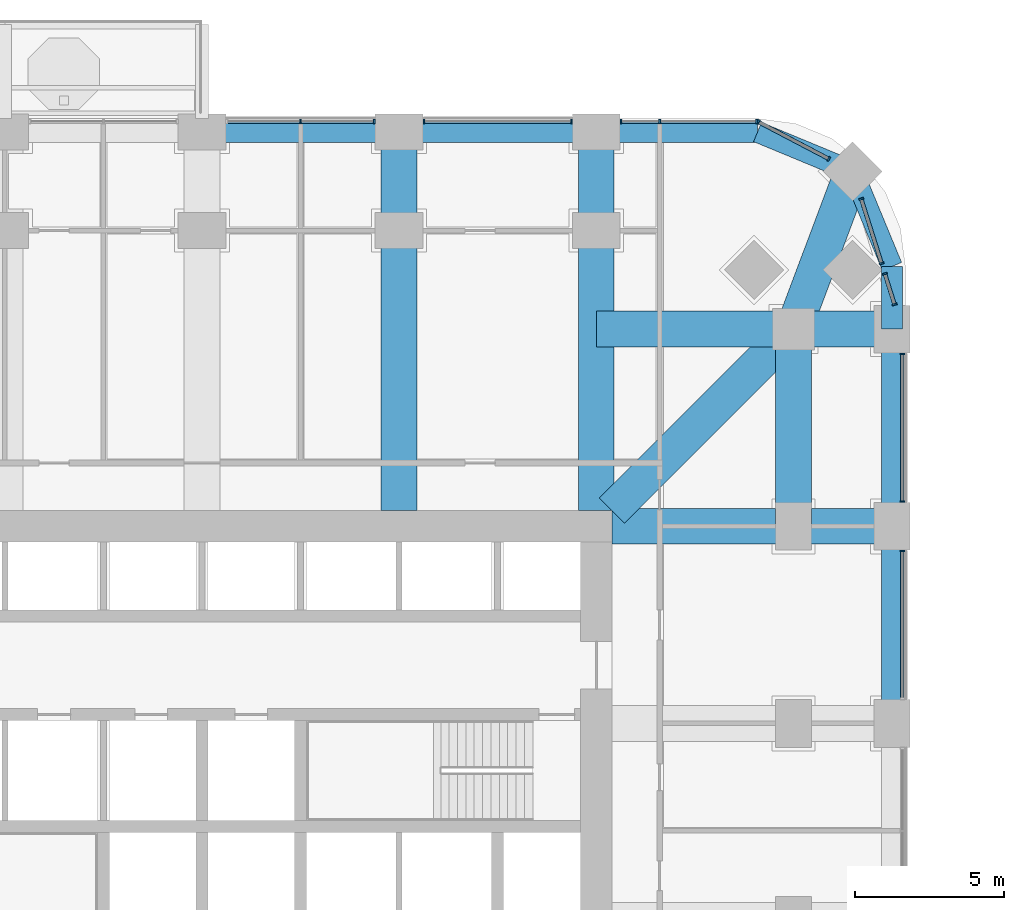
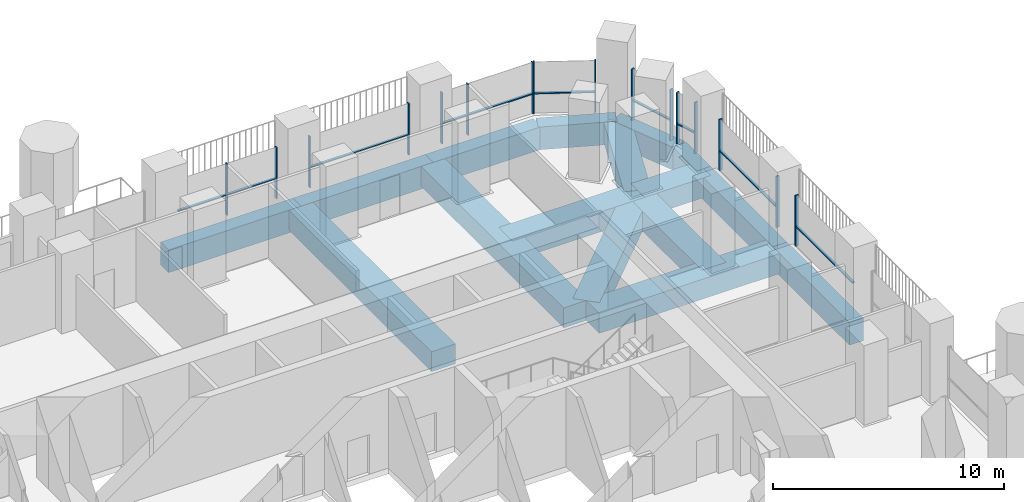
# One storey, part 7 of 21: 26 members, 16 beams, 8 elements without a shape of their own.
"""IFC4 building model written with IfcOpenShell, lengths in metres."""

from ifc_helpers import new_model, si_unit, direction, frame, origin, origin_2d, place, context, subcontext, project, spatial, rectangle, extrude, material, material_profile, profile_set, type_object, element, aggregate, save


model = new_model("IFC4")

# Units and contexts
model_context = context("Model", 3, precision=1e-05, world=origin(), true_north=direction((0.0, 1.0)))
body_context = subcontext(model_context, "Body", "Model", "MODEL_VIEW")
ifc_project = project(units=[si_unit("LENGTHUNIT", "METRE"), si_unit("AREAUNIT", "SQUARE_METRE"), si_unit("VOLUMEUNIT", "CUBIC_METRE"), si_unit("PLANEANGLEUNIT", "RADIAN"), si_unit("MASSUNIT", "GRAM", prefix="KILO")], contexts=[model_context])

# Site, building, storey
site_placement = place(None, origin())
site = spatial("IfcSite", under=ifc_project, at=site_placement, CompositionType="ELEMENT")
building_placement = place(site_placement, origin())
building = spatial("IfcBuilding", under=site, at=building_placement, Name="Cobogo Forest Laboratory Tower", CompositionType="ELEMENT")
storey_placement = place(building_placement, frame((0.0, 0.0, 90.60009765625)))
storey = spatial("IfcBuildingStorey", under=building, at=storey_placement, Name="L20", CompositionType="ELEMENT", Elevation=90.60009765625)

# Beams
ifc_material_1 = material(Name="Concrete HA-40 (C40/50)", Category="concrete")
ifc_material_profile_1 = material_profile(ifc_material_1, rectangle(XDim=1.199951171875, YDim=1.050048828125, at=origin_2d()), Name="RC 1200x1050")
ifc_profile_set_1 = profile_set([ifc_material_profile_1], Name="Concrete HA-40 (C40/50)")
beam_type_1 = type_object("IfcBeamType", Name="Laboratory floor wide beam 1200x1050", PredefinedType="BEAM", material=ifc_profile_set_1)
for number, where, z_axis, x_axis, name in (
    (1, (33.0, 33.52490234375, -0.8251953125), (0.0, 1.0, 0.0), (-1.0, 0.0, 0.0), "RB1 R-6-N L20"),
    (2, (39.60009765625, 33.52490234375, -0.8251953125), (0.0, 1.0, 0.0), (-1.0, 0.0, 0.0), "RB1 R-7-N L20"),
):
    element("IfcBeam", number, at=place(storey_placement, frame(where, z_axis=z_axis, x_axis=x_axis)), inside=storey, type_object=beam_type_1, Name=name, PredefinedType="BEAM", context=body_context, shape_type="SweptSolid", body=[
        extrude(rectangle(XDim=1.199951171875, YDim=1.050048828125, at=origin_2d()), origin(), (0.0, 0.0, 1.0), 12.675048828125),
    ])
beam_1_placement = place(storey_placement, frame((40.125, 33.0, -0.8251953125), z_axis=(1.0, 0.0, 0.0), x_axis=(0.0, 1.0, 0.0)))
element("IfcBeam", 3, at=beam_1_placement, inside=storey, type_object=beam_type_1, Name="RB1 R-F-E L20", PredefinedType="BEAM", context=body_context, shape_type="SweptSolid", body=[
    extrude(rectangle(XDim=1.199951171875, YDim=1.050048828125, at=origin_2d()), origin(), (0.0, 0.0, 1.0), 9.375),
])
beam_2_placement = place(storey_placement, frame((46.199951171875, 39.60009765625, -0.8251953125), z_axis=(0.0, -1.0, 0.0), x_axis=(1.0, 0.0, 0.0)))
element("IfcBeam", 4, at=beam_2_placement, inside=storey, type_object=beam_type_1, Name="RB1 G-NE-XC L20", PredefinedType="BEAM", context=body_context, shape_type="SweptSolid", body=[
    extrude(rectangle(XDim=1.199951171875, YDim=1.050048828125, at=origin_2d()), origin(), (0.0, 0.0, 1.0), 6.60009765625),
])
beam_3_placement = place(storey_placement, frame((49.5, 39.60009765625, -0.8251953125), z_axis=(-1.0, 0.0, 0.0), x_axis=(0.0, -1.0, 0.0)))
element("IfcBeam", 5, at=beam_3_placement, inside=storey, type_object=beam_type_1, Name="RB1 G-NE-YF L20", PredefinedType="BEAM", context=body_context, shape_type="SweptSolid", body=[
    extrude(rectangle(XDim=1.199951171875, YDim=1.050048828125, at=origin_2d()), origin(), (0.0, 0.0, 1.0), 3.300048828125),
])
beam_4_placement = place(storey_placement, frame((46.199951171875, 39.60009765625, -0.8251953125), z_axis=(-1.0, 0.0, 0.0), x_axis=(0.0, -1.0, 0.0)))
element("IfcBeam", 6, at=beam_4_placement, inside=storey, type_object=beam_type_1, Name="RB1 G-NE-YC L20", PredefinedType="BEAM", context=body_context, shape_type="SweptSolid", body=[
    extrude(rectangle(XDim=1.199951171875, YDim=1.050048828125, at=origin_2d()), origin(), (0.0, 0.0, 1.0), 6.599853515625),
])
beam_5_placement = place(storey_placement, frame((48.181884765625, 44.882080078125, -0.8251953125), z_axis=(-0.351308391925, -0.936259800356, 0.0), x_axis=(0.936259800356, -0.351308391925, 0.0)))
element("IfcBeam", 7, at=beam_5_placement, inside=storey, type_object=beam_type_1, Name="RB1 G-NE-D1 L20", PredefinedType="BEAM", context=body_context, shape_type="SweptSolid", body=[
    extrude(rectangle(XDim=1.199951171875, YDim=1.050048828125, at=origin_2d()), origin(), (0.0, 0.0, 1.0), 5.6416015625),
])
beam_6_placement = place(storey_placement, frame((46.199951171875, 39.60009765625, -0.8251953125), z_axis=(-0.707092572697, -0.70712098939, 0.0), x_axis=(0.70712098939, -0.707092572697, 0.0)))
element("IfcBeam", 8, at=beam_6_placement, inside=storey, type_object=beam_type_1, Name="RB1 G-NE-D2 L20", PredefinedType="BEAM", context=body_context, shape_type="SweptSolid", body=[
    extrude(rectangle(XDim=1.199951171875, YDim=1.050048828125, at=origin_2d()), origin(), (0.0, 0.0, 1.0), 8.591552734375),
])

# Curtain wall, member
ifc_material_2 = material(Name="Aluminium curtain wall", Category="aluminium")
curtain_wall_type = type_object("IfcCurtainWallType", Name="CW-1 unitised curtain wall, clear glazing, laboratory floors zones A and B", PredefinedType="USERDEFINED", material=ifc_material_2)
curtain_wall_1_placement = place(storey_placement, origin())
curtain_wall_1 = element("IfcCurtainWall", 9, at=curtain_wall_1_placement, inside=storey, type_object=curtain_wall_type, Name="Curtain wall 13 L20", ObjectType="UNITISED CURTAIN WALL", PredefinedType="USERDEFINED")
ifc_material_3 = material(Name="Aluminium mullion", Category="aluminium")
ifc_material_profile_2 = material_profile(ifc_material_3, rectangle(XDim=0.06005859375, YDim=0.159912109375, at=origin_2d()), Name="AL 60x160")
ifc_profile_set_2 = profile_set([ifc_material_profile_2], Name="Aluminium mullion")
member_type_1 = type_object("IfcMemberType", Name="MU-1 aluminium mullion 60x160", PredefinedType="MULLION", material=ifc_profile_set_2)
member_1_placement = place(storey_placement, frame((49.85009765625, 32.169921875, 0.0), z_axis=(0.0, 0.0, 1.0), x_axis=(0.0, 1.0, 0.0)))
member_1 = element("IfcMember", 10, at=member_1_placement, type_object=member_type_1, Name="CW-1 mullion 2", PredefinedType="MULLION", context=body_context, shape_type="SweptSolid", body=[
    extrude(rectangle(XDim=0.06005859375, YDim=0.159912109375, at=origin_2d()), origin(), (0.0, 0.0, 1.0), 2.699951171875),
])

# Curtain wall, members
curtain_wall_2_placement = place(storey_placement, origin())
curtain_wall_2 = element("IfcCurtainWall", 11, at=curtain_wall_2_placement, inside=storey, type_object=curtain_wall_type, Name="Curtain wall 14 L20", ObjectType="UNITISED CURTAIN WALL", PredefinedType="USERDEFINED")
member_2_placement = place(storey_placement, frame((49.85009765625, 33.830078125, 0.0), z_axis=(0.0, 0.0, 1.0), x_axis=(0.0, 1.0, 0.0)))
member_2 = element("IfcMember", 12, at=member_2_placement, type_object=member_type_1, Name="CW-1 mullion 1", PredefinedType="MULLION", context=body_context, shape_type="SweptSolid", body=[
    extrude(rectangle(XDim=0.06005859375, YDim=0.159912109375, at=origin_2d()), origin(), (0.0, 0.0, 1.0), 2.699951171875),
])
member_3_placement = place(storey_placement, frame((49.85009765625, 38.77001953125, 0.0), z_axis=(0.0, 0.0, 1.0), x_axis=(0.0, 1.0, 0.0)))
member_3 = element("IfcMember", 13, at=member_3_placement, type_object=member_type_1, Name="CW-1 mullion 2", PredefinedType="MULLION", context=body_context, shape_type="SweptSolid", body=[
    extrude(rectangle(XDim=0.06005859375, YDim=0.159912109375, at=origin_2d()), origin(), (0.0, 0.0, 1.0), 2.699951171875),
])

curtain_wall_3_placement = place(storey_placement, origin())
curtain_wall_3 = element("IfcCurtainWall", 14, at=curtain_wall_3_placement, inside=storey, type_object=curtain_wall_type, Name="Curtain wall 15 L20", ObjectType="UNITISED CURTAIN WALL", PredefinedType="USERDEFINED")
member_4_placement = place(storey_placement, frame((49.58837890625, 40.4287109375, 0.0), z_axis=(0.0, 0.0, 1.0), x_axis=(-0.3011355018, 0.953581359694, 0.0)))
member_4 = element("IfcMember", 15, at=member_4_placement, type_object=member_type_1, Name="CW-1 mullion 1", PredefinedType="MULLION", context=body_context, shape_type="SweptSolid", body=[
    extrude(rectangle(XDim=0.06005859375, YDim=0.159912109375, at=origin_2d()), origin(), (0.0, 0.0, 1.0), 2.699951171875),
])
member_5_placement = place(storey_placement, frame((49.2646484375, 41.453369140625, 0.0), z_axis=(0.0, 0.0, 1.0), x_axis=(-0.3011355018, 0.953581359694, 0.0)))
member_5 = element("IfcMember", 16, at=member_5_placement, type_object=member_type_1, Name="CW-1 mullion 2", PredefinedType="MULLION", context=body_context, shape_type="SweptSolid", body=[
    extrude(rectangle(XDim=0.06005859375, YDim=0.159912109375, at=origin_2d()), origin(), (0.0, 0.0, 1.0), 2.699951171875),
])

curtain_wall_4_placement = place(storey_placement, origin())
curtain_wall_4 = element("IfcCurtainWall", 17, at=curtain_wall_4_placement, inside=storey, type_object=curtain_wall_type, Name="Curtain wall 16 L20", ObjectType="UNITISED CURTAIN WALL", PredefinedType="USERDEFINED")
member_6_placement = place(storey_placement, frame((49.154296875, 41.802978515625, 0.0), z_axis=(0.0, 0.0, 1.0), x_axis=(-0.301135343623, 0.953581409645, 0.0)))
member_6 = element("IfcMember", 18, at=member_6_placement, type_object=member_type_1, Name="CW-1 mullion 1", PredefinedType="MULLION", context=body_context, shape_type="SweptSolid", body=[
    extrude(rectangle(XDim=0.06005859375, YDim=0.159912109375, at=origin_2d()), origin(), (0.0, 0.0, 1.0), 2.699951171875),
])
member_7_placement = place(storey_placement, frame((48.47265625, 43.961181640625, 0.0), z_axis=(0.0, 0.0, 1.0), x_axis=(-0.301135343623, 0.953581409645, 0.0)))
member_7 = element("IfcMember", 19, at=member_7_placement, type_object=member_type_1, Name="CW-1 mullion 2", PredefinedType="MULLION", context=body_context, shape_type="SweptSolid", body=[
    extrude(rectangle(XDim=0.06005859375, YDim=0.159912109375, at=origin_2d()), origin(), (0.0, 0.0, 1.0), 2.699951171875),
])

curtain_wall_5_placement = place(storey_placement, origin())
curtain_wall_5 = element("IfcCurtainWall", 20, at=curtain_wall_5_placement, inside=storey, type_object=curtain_wall_type, Name="Curtain wall 17 L20", ObjectType="UNITISED CURTAIN WALL", PredefinedType="USERDEFINED")
member_8_placement = place(storey_placement, frame((47.38525390625, 45.299560546875, 0.0), z_axis=(0.0, 0.0, 1.0), x_axis=(-0.885686540666, 0.464283697413, 0.0)))
member_8 = element("IfcMember", 21, at=member_8_placement, type_object=member_type_1, Name="CW-1 mullion 1", PredefinedType="MULLION", context=body_context, shape_type="SweptSolid", body=[
    extrude(rectangle(XDim=0.06005859375, YDim=0.159912109375, at=origin_2d()), origin(), (0.0, 0.0, 1.0), 2.699951171875),
])
member_9_placement = place(storey_placement, frame((45.026611328125, 46.5361328125, 0.0), z_axis=(0.0, 0.0, 1.0), x_axis=(-0.885686540666, 0.464283697413, 0.0)))
member_9 = element("IfcMember", 22, at=member_9_placement, type_object=member_type_1, Name="CW-1 mullion 2", PredefinedType="MULLION", context=body_context, shape_type="SweptSolid", body=[
    extrude(rectangle(XDim=0.06005859375, YDim=0.159912109375, at=origin_2d()), origin(), (0.0, 0.0, 1.0), 2.699951171875),
])

curtain_wall_6_placement = place(storey_placement, origin())
curtain_wall_6 = element("IfcCurtainWall", 23, at=curtain_wall_6_placement, inside=storey, type_object=curtain_wall_type, Name="Curtain wall 18 L20", ObjectType="UNITISED CURTAIN WALL", PredefinedType="USERDEFINED")
member_10_placement = place(storey_placement, frame((44.969970703125, 46.550048828125, 0.0), z_axis=(0.0, 0.0, 1.0), x_axis=(-1.0, 0.0, 0.0)))
member_10 = element("IfcMember", 24, at=member_10_placement, type_object=member_type_1, Name="CW-1 mullion 1", PredefinedType="MULLION", context=body_context, shape_type="SweptSolid", body=[
    extrude(rectangle(XDim=0.06005859375, YDim=0.159912109375, at=origin_2d()), origin(), (0.0, 0.0, 1.0), 2.699951171875),
])
member_11_placement = place(storey_placement, frame((41.72509765625, 46.550048828125, 0.0), z_axis=(0.0, 0.0, 1.0), x_axis=(-1.0, 0.0, 0.0)))
member_11 = element("IfcMember", 25, at=member_11_placement, type_object=member_type_1, Name="CW-1 mullion 2", PredefinedType="MULLION", context=body_context, shape_type="SweptSolid", body=[
    extrude(rectangle(XDim=0.06005859375, YDim=0.159912109375, at=origin_2d()), origin(), (0.0, 0.0, 1.0), 2.699951171875),
])
member_12_placement = place(storey_placement, frame((40.429931640625, 46.550048828125, 0.0), z_axis=(0.0, 0.0, 1.0), x_axis=(-1.0, 0.0, 0.0)))
member_12 = element("IfcMember", 26, at=member_12_placement, type_object=member_type_1, Name="CW-1 mullion 3", PredefinedType="MULLION", context=body_context, shape_type="SweptSolid", body=[
    extrude(rectangle(XDim=0.06005859375, YDim=0.159912109375, at=origin_2d()), origin(), (0.0, 0.0, 1.0), 2.699951171875),
])

curtain_wall_7_placement = place(storey_placement, origin())
curtain_wall_7 = element("IfcCurtainWall", 27, at=curtain_wall_7_placement, inside=storey, type_object=curtain_wall_type, Name="Curtain wall 19 L20", ObjectType="UNITISED CURTAIN WALL", PredefinedType="USERDEFINED")
member_13_placement = place(storey_placement, frame((38.77001953125, 46.550048828125, 0.0), z_axis=(0.0, 0.0, 1.0), x_axis=(-1.0, 0.0, 0.0)))
member_13 = element("IfcMember", 28, at=member_13_placement, type_object=member_type_1, Name="CW-1 mullion 1", PredefinedType="MULLION", context=body_context, shape_type="SweptSolid", body=[
    extrude(rectangle(XDim=0.06005859375, YDim=0.159912109375, at=origin_2d()), origin(), (0.0, 0.0, 1.0), 2.699951171875),
])
member_14_placement = place(storey_placement, frame((33.830078125, 46.550048828125, 0.0), z_axis=(0.0, 0.0, 1.0), x_axis=(-1.0, 0.0, 0.0)))
member_14 = element("IfcMember", 29, at=member_14_placement, type_object=member_type_1, Name="CW-1 mullion 2", PredefinedType="MULLION", context=body_context, shape_type="SweptSolid", body=[
    extrude(rectangle(XDim=0.06005859375, YDim=0.159912109375, at=origin_2d()), origin(), (0.0, 0.0, 1.0), 2.699951171875),
])

curtain_wall_8_placement = place(storey_placement, origin())
curtain_wall_8 = element("IfcCurtainWall", 30, at=curtain_wall_8_placement, inside=storey, type_object=curtain_wall_type, Name="Curtain wall 20 L20", ObjectType="UNITISED CURTAIN WALL", PredefinedType="USERDEFINED")
member_15_placement = place(storey_placement, frame((32.169921875, 46.550048828125, 0.0), z_axis=(0.0, 0.0, 1.0), x_axis=(-1.0, 0.0, 0.0)))
member_15 = element("IfcMember", 31, at=member_15_placement, type_object=member_type_1, Name="CW-1 mullion 1", PredefinedType="MULLION", context=body_context, shape_type="SweptSolid", body=[
    extrude(rectangle(XDim=0.06005859375, YDim=0.159912109375, at=origin_2d()), origin(), (0.0, 0.0, 1.0), 2.699951171875),
])
member_16_placement = place(storey_placement, frame((29.699951171875, 46.550048828125, 0.0), z_axis=(0.0, 0.0, 1.0), x_axis=(-1.0, 0.0, 0.0)))
member_16 = element("IfcMember", 32, at=member_16_placement, type_object=member_type_1, Name="CW-1 mullion 2", PredefinedType="MULLION", context=body_context, shape_type="SweptSolid", body=[
    extrude(rectangle(XDim=0.06005859375, YDim=0.159912109375, at=origin_2d()), origin(), (0.0, 0.0, 1.0), 2.699951171875),
])

# Beams
ifc_material_profile_3 = material_profile(ifc_material_1, rectangle(XDim=0.699951171875, YDim=1.199951171875, at=origin_2d()), Name="RC 700x1200")
ifc_profile_set_3 = profile_set([ifc_material_profile_3], Name="Concrete HA-40 (C40/50)")
beam_type_2 = type_object("IfcBeamType", Name="Perimeter edge beam 700x1200", PredefinedType="BEAM", material=ifc_profile_set_3)
for number, where, z_axis, x_axis, name in (
    (33, (49.5, 26.39990234375, -0.900146484375), (0.0, 1.0, 0.0), (-1.0, 0.0, 0.0), "EB1 E-E4 L20"),
    (34, (49.5, 33.0, -0.900146484375), (0.0, 1.0, 0.0), (-1.0, 0.0, 0.0), "EB1 E-E5 L20"),
    (35, (26.39990234375, 46.199951171875, -0.900146484375), (1.0, 0.0, 0.0), (0.0, 1.0, 0.0), "EB1 E-N3 L20"),
    (36, (33.0, 46.199951171875, -0.900146484375), (1.0, 0.0, 0.0), (0.0, 1.0, 0.0), "EB1 E-N4 L20"),
):
    element("IfcBeam", number, at=place(storey_placement, frame(where, z_axis=z_axis, x_axis=x_axis)), inside=storey, type_object=beam_type_2, Name=name, PredefinedType="BEAM", context=body_context, shape_type="SweptSolid", body=[
        extrude(rectangle(XDim=0.699951171875, YDim=1.199951171875, at=origin_2d()), origin(), (0.0, 0.0, 1.0), 6.60009765625),
    ])
beam_7_placement = place(storey_placement, frame((49.5, 39.60009765625, -0.900146484375), z_axis=(0.0, 1.0, 0.0), x_axis=(-1.0, 0.0, 0.0)))
element("IfcBeam", 37, at=beam_7_placement, inside=storey, type_object=beam_type_2, Name="EB1 E-NEE1 L20", PredefinedType="BEAM", context=body_context, shape_type="SweptSolid", body=[
    extrude(rectangle(XDim=0.699951171875, YDim=1.199951171875, at=origin_2d()), origin(), (0.0, 0.0, 1.0), 2.099853515625),
])
beam_8_placement = place(storey_placement, frame((49.5, 41.699951171875, -0.900146484375), z_axis=(-0.382691928466, 0.923876013265, 0.0), x_axis=(-0.923876013265, -0.382691928466, 0.0)))
element("IfcBeam", 38, at=beam_8_placement, inside=storey, type_object=beam_type_2, Name="EB1 E-NEE2 L20", PredefinedType="BEAM", context=body_context, shape_type="SweptSolid", body=[
    extrude(rectangle(XDim=0.699951171875, YDim=1.199951171875, at=origin_2d()), origin(), (0.0, 0.0, 1.0), 3.4443359375),
])
beam_9_placement = place(storey_placement, frame((39.60009765625, 46.199951171875, -0.900146484375), z_axis=(1.0, 0.0, 0.0), x_axis=(0.0, 1.0, 0.0)))
element("IfcBeam", 39, at=beam_9_placement, inside=storey, type_object=beam_type_2, Name="EB1 E-NEN1 L20", PredefinedType="BEAM", context=body_context, shape_type="SweptSolid", body=[
    extrude(rectangle(XDim=0.699951171875, YDim=1.199951171875, at=origin_2d()), origin(), (0.0, 0.0, 1.0), 5.39990234375),
])
beam_10_placement = place(storey_placement, frame((45.0, 46.199951171875, -0.900146484375), z_axis=(0.923890694089, -0.382656484822, 0.0), x_axis=(0.382656484822, 0.923890694089, 0.0)))
element("IfcBeam", 40, at=beam_10_placement, inside=storey, type_object=beam_type_2, Name="EB1 E-NEN2 L20", PredefinedType="BEAM", context=body_context, shape_type="SweptSolid", body=[
    extrude(rectangle(XDim=0.699951171875, YDim=1.199951171875, at=origin_2d()), origin(), (0.0, 0.0, 1.0), 3.444091796875),
])

# Member
ifc_material_4 = material(Name="Aluminium transom", Category="aluminium")
ifc_material_profile_4 = material_profile(ifc_material_4, rectangle(XDim=0.1201171875, YDim=0.06005859375, at=origin_2d()), Name="AL 60x120")
ifc_profile_set_4 = profile_set([ifc_material_profile_4], Name="Aluminium transom")
member_type_2 = type_object("IfcMemberType", Name="TR-1 aluminium transom 60x120", PredefinedType="USERDEFINED", material=ifc_profile_set_4)
member_17_placement = place(storey_placement, frame((49.85009765625, 27.260009765625, 1.0498046875), z_axis=(0.0, 1.0, 0.0), x_axis=(-1.0, 0.0, 0.0)))
member_17 = element("IfcMember", 41, at=member_17_placement, type_object=member_type_2, Name="CW-1 transom 1.1", ObjectType="TRANSOM", PredefinedType="USERDEFINED", context=body_context, shape_type="SweptSolid", body=[
    extrude(rectangle(XDim=0.1201171875, YDim=0.06005859375, at=origin_2d()), origin(), (0.0, 0.0, 1.0), 4.8798828125),
])

aggregate(curtain_wall_1, [member_1, member_17])

member_18_placement = place(storey_placement, frame((49.85009765625, 33.860107421875, 1.0498046875), z_axis=(0.0, 1.0, 0.0), x_axis=(-1.0, 0.0, 0.0)))
member_18 = element("IfcMember", 42, at=member_18_placement, type_object=member_type_2, Name="CW-1 transom 1.1", ObjectType="TRANSOM", PredefinedType="USERDEFINED", context=body_context, shape_type="SweptSolid", body=[
    extrude(rectangle(XDim=0.1201171875, YDim=0.06005859375, at=origin_2d()), origin(), (0.0, 0.0, 1.0), 4.8798828125),
])

aggregate(curtain_wall_2, [member_2, member_3, member_18])

member_19_placement = place(storey_placement, frame((49.579345703125, 40.457275390625, 1.0498046875), z_axis=(-0.301246520212, 0.953546293611, 0.0), x_axis=(-0.953546293611, -0.301246520212, 0.0)))
member_19 = element("IfcMember", 43, at=member_19_placement, type_object=member_type_2, Name="CW-1 transom 1.1", ObjectType="TRANSOM", PredefinedType="USERDEFINED", context=body_context, shape_type="SweptSolid", body=[
    extrude(rectangle(XDim=0.1201171875, YDim=0.06005859375, at=origin_2d()), origin(), (0.0, 0.0, 1.0), 1.0146484375),
])

aggregate(curtain_wall_3, [member_4, member_5, member_19])

member_20_placement = place(storey_placement, frame((49.145263671875, 41.83154296875, 1.0498046875), z_axis=(-0.301163185322, 0.953572616955, 0.0), x_axis=(-0.953572616955, -0.301163185322, 0.0)))
member_20 = element("IfcMember", 44, at=member_20_placement, type_object=member_type_2, Name="CW-1 transom 1.1", ObjectType="TRANSOM", PredefinedType="USERDEFINED", context=body_context, shape_type="SweptSolid", body=[
    extrude(rectangle(XDim=0.1201171875, YDim=0.06005859375, at=origin_2d()), origin(), (0.0, 0.0, 1.0), 2.203369140625),
])

aggregate(curtain_wall_4, [member_6, member_7, member_20])

member_21_placement = place(storey_placement, frame((47.358642578125, 45.3134765625, 1.0498046875), z_axis=(-0.885651566966, 0.464350408562, 0.0), x_axis=(-0.464350408562, -0.885651566966, 0.0)))
member_21 = element("IfcMember", 45, at=member_21_placement, type_object=member_type_2, Name="CW-1 transom 1.1", ObjectType="TRANSOM", PredefinedType="USERDEFINED", context=body_context, shape_type="SweptSolid", body=[
    extrude(rectangle(XDim=0.1201171875, YDim=0.06005859375, at=origin_2d()), origin(), (0.0, 0.0, 1.0), 2.60302734375),
])

aggregate(curtain_wall_5, [member_8, member_9, member_21])

member_22_placement = place(storey_placement, frame((44.93994140625, 46.550048828125, 1.0498046875), z_axis=(-1.0, 0.0, 0.0), x_axis=(0.0, -1.0, 0.0)))
member_22 = element("IfcMember", 46, at=member_22_placement, type_object=member_type_2, Name="CW-1 transom 1.1", ObjectType="TRANSOM", PredefinedType="USERDEFINED", context=body_context, shape_type="SweptSolid", body=[
    extrude(rectangle(XDim=0.1201171875, YDim=0.06005859375, at=origin_2d()), origin(), (0.0, 0.0, 1.0), 3.18505859375),
])

member_23_placement = place(storey_placement, frame((41.695068359375, 46.550048828125, 1.0498046875), z_axis=(-1.0, 0.0, 0.0), x_axis=(0.0, -1.0, 0.0)))
member_23 = element("IfcMember", 47, at=member_23_placement, type_object=member_type_2, Name="CW-1 transom 2.1", ObjectType="TRANSOM", PredefinedType="USERDEFINED", context=body_context, shape_type="SweptSolid", body=[
    extrude(rectangle(XDim=0.1201171875, YDim=0.06005859375, at=origin_2d()), origin(), (0.0, 0.0, 1.0), 1.235107421875),
])

aggregate(curtain_wall_6, [member_10, member_11, member_12, member_22, member_23])

member_24_placement = place(storey_placement, frame((38.739990234375, 46.550048828125, 1.0498046875), z_axis=(-1.0, 0.0, 0.0), x_axis=(0.0, -1.0, 0.0)))
member_24 = element("IfcMember", 48, at=member_24_placement, type_object=member_type_2, Name="CW-1 transom 1.1", ObjectType="TRANSOM", PredefinedType="USERDEFINED", context=body_context, shape_type="SweptSolid", body=[
    extrude(rectangle(XDim=0.1201171875, YDim=0.06005859375, at=origin_2d()), origin(), (0.0, 0.0, 1.0), 4.8798828125),
])

aggregate(curtain_wall_7, [member_13, member_14, member_24])

member_25_placement = place(storey_placement, frame((32.139892578125, 46.550048828125, 1.0498046875), z_axis=(-1.0, 0.0, 0.0), x_axis=(0.0, -1.0, 0.0)))
member_25 = element("IfcMember", 49, at=member_25_placement, type_object=member_type_2, Name="CW-1 transom 1.1", ObjectType="TRANSOM", PredefinedType="USERDEFINED", context=body_context, shape_type="SweptSolid", body=[
    extrude(rectangle(XDim=0.1201171875, YDim=0.06005859375, at=origin_2d()), origin(), (0.0, 0.0, 1.0), 2.409912109375),
])

member_26_placement = place(storey_placement, frame((29.669921875, 46.550048828125, 1.0498046875), z_axis=(-1.0, 0.0, 0.0), x_axis=(0.0, -1.0, 0.0)))
member_26 = element("IfcMember", 50, at=member_26_placement, type_object=member_type_2, Name="CW-1 transom 2.1", ObjectType="TRANSOM", PredefinedType="USERDEFINED", context=body_context, shape_type="SweptSolid", body=[
    extrude(rectangle(XDim=0.1201171875, YDim=0.06005859375, at=origin_2d()), origin(), (0.0, 0.0, 1.0), 2.409912109375),
])

aggregate(curtain_wall_8, [member_15, member_16, member_25, member_26])

save(model, "model.ifc")
